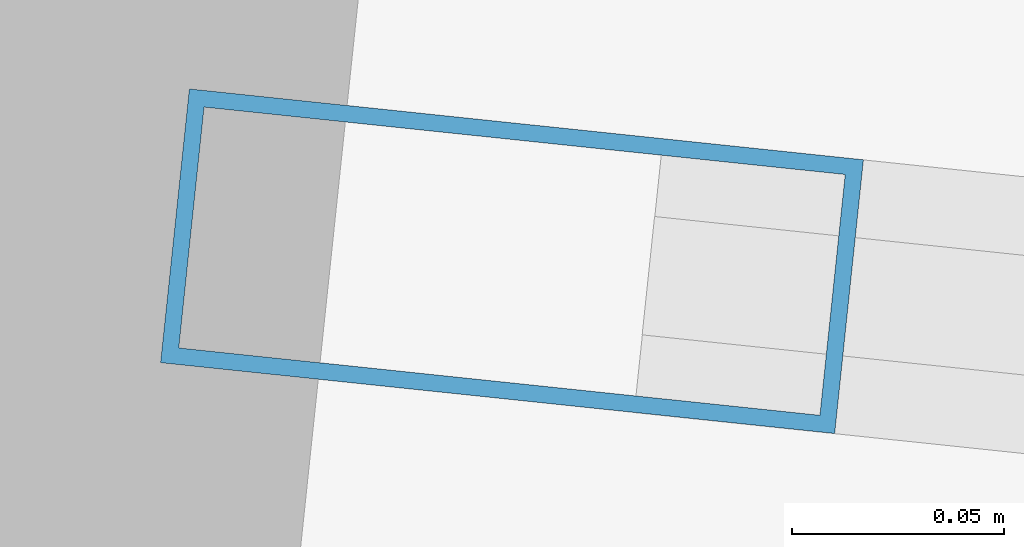
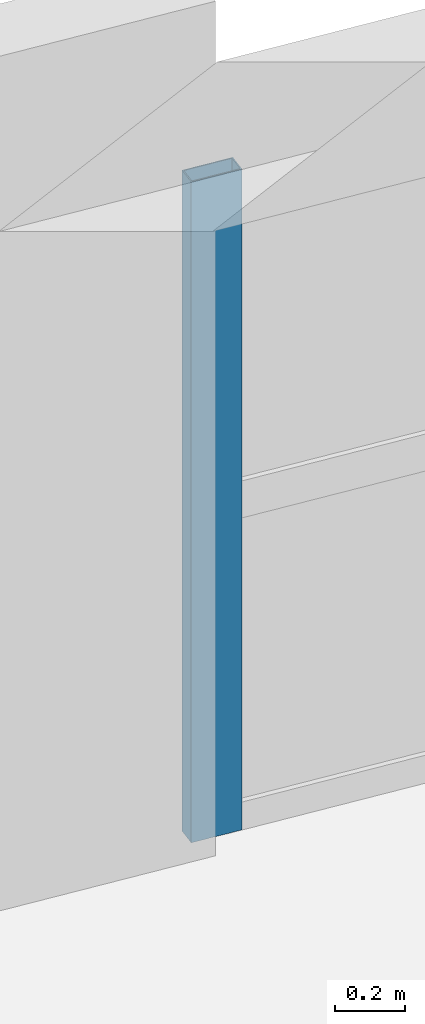
# One storey, part 64 of 127: 1 member, 1 element without a shape of its own.
"""IFC4 building model written with IfcOpenShell, lengths in metres."""

from ifc_helpers import new_model, si_unit, direction, frame, origin, origin_2d, place, context, subcontext, project, spatial, hollow_rectangle, extrude, material, material_profile, profile_set, type_object, element, aggregate, save


model = new_model("IFC4")

# Units and contexts
model_context = context("Model", 3, precision=1e-05, world=origin(), true_north=direction((0.0, 1.0)))
body_context = subcontext(model_context, "Body", "Model", "MODEL_VIEW")
ifc_project = project(units=[si_unit("LENGTHUNIT", "METRE"), si_unit("AREAUNIT", "SQUARE_METRE"), si_unit("VOLUMEUNIT", "CUBIC_METRE"), si_unit("PLANEANGLEUNIT", "RADIAN"), si_unit("MASSUNIT", "GRAM", prefix="KILO")], contexts=[model_context])

# Site, building, storey
site_placement = place(None, origin())
site = spatial("IfcSite", under=ifc_project, at=site_placement, CompositionType="ELEMENT")
building_placement = place(site_placement, origin())
building = spatial("IfcBuilding", under=site, at=building_placement, Name="Kestramere Prow Commons", CompositionType="ELEMENT")
storey_placement = place(building_placement, frame((0.0, 0.0, 8.39990234375)))
storey = spatial("IfcBuildingStorey", under=building, at=storey_placement, Name="L02", CompositionType="ELEMENT", Elevation=8.39990234375)

# Curtain wall, member
ifc_material_1 = material(Name="Anodised Aluminium and Low-E Glass", Category="aluminium")
curtain_wall_type = type_object("IfcCurtainWallType", Name="CW-03 Glazed Curtain Wall 2830x2320", PredefinedType="USERDEFINED", material=ifc_material_1)
curtain_wall_placement = place(storey_placement, origin())
curtain_wall = element("IfcCurtainWall", 1, at=curtain_wall_placement, inside=storey, type_object=curtain_wall_type, Name="Block B L02 Stairwell Vertical Glazing 4", ObjectType="GLAZED CURTAIN WALL", PredefinedType="USERDEFINED")
ifc_material_2 = material(Name="Anodised Aluminium 6063-T6", Category="aluminium")
ifc_material_profile = material_profile(ifc_material_2, hollow_rectangle(XDim=0.06494140625, YDim=0.159912109375, WallThickness=0.00390625, at=origin_2d()), Name="ALU-MUL 65x160")
ifc_profile_set = profile_set([ifc_material_profile], Name="Anodised Aluminium 6063-T6")
member_type = type_object("IfcMemberType", Name="CW-MUL-65x160", PredefinedType="MULLION", material=ifc_profile_set)
member_placement = place(storey_placement, frame((138.575439453125, 112.032470703125, 0.0), z_axis=(0.0, 0.0, 1.0), x_axis=(0.104528618845, 0.994521879016, 0.0)))
member = element("IfcMember", 2, at=member_placement, type_object=member_type, Name="CW-03 mullion 1", PredefinedType="MULLION", context=body_context, shape_type="SweptSolid", body=[
    extrude(hollow_rectangle(XDim=0.06494140625, YDim=0.159912109375, WallThickness=0.00390625, at=origin_2d()), origin(), (0.0, 0.0, 1.0), 2.320068359375),
])
aggregate(curtain_wall, [member])

save(model, "model.ifc")
